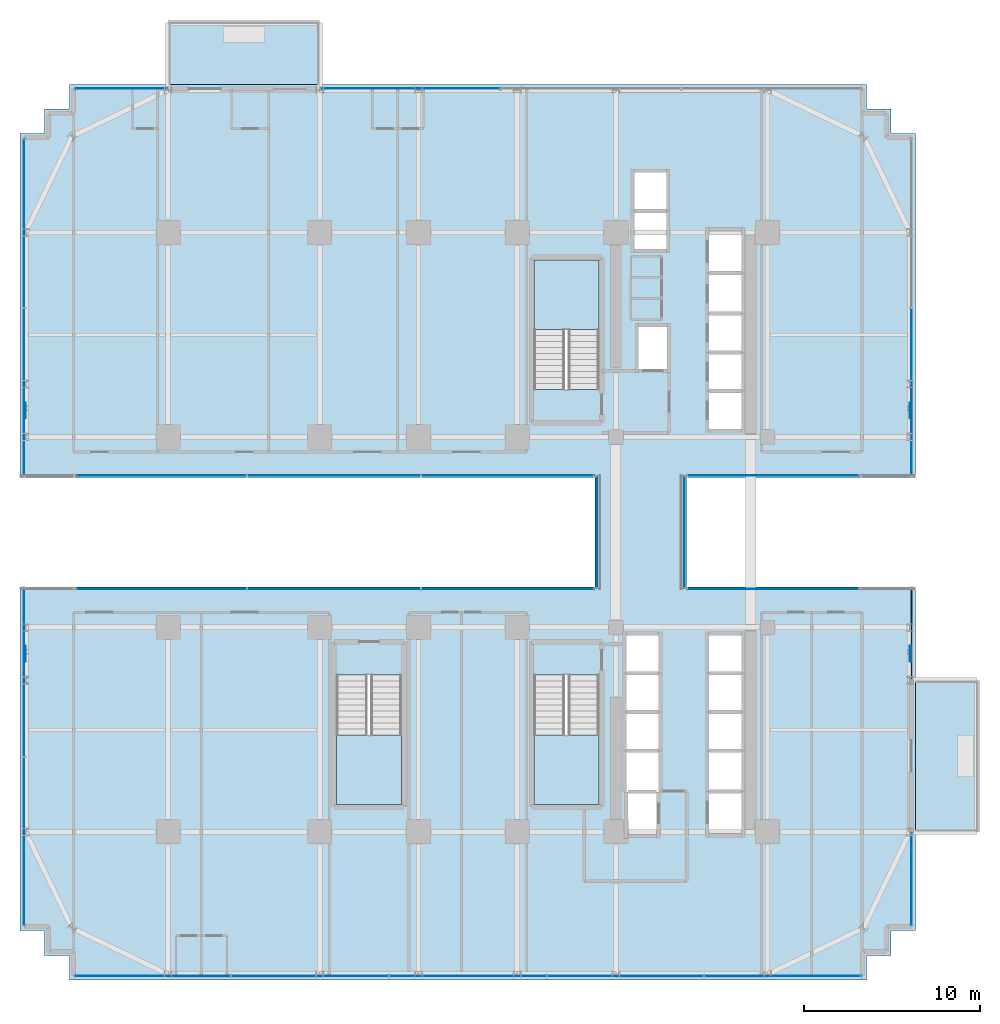
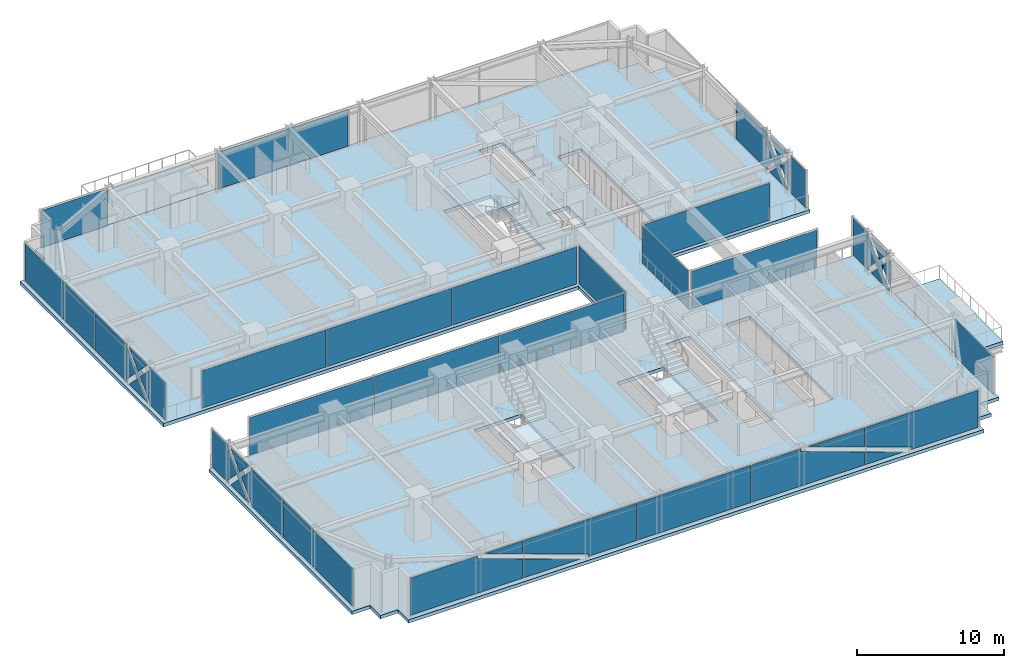
# One storey, part 33 of 41: 28 plates, 6 slabs, 17 elements without a shape of their own.
"""IFC4 building model written with IfcOpenShell, lengths in metres."""

from ifc_helpers import new_model, si_unit, direction, frame, origin, origin_2d, place, context, subcontext, project, spatial, polyline, rectangle, outline, extrude, source, transform, mapped, material, layer, layer_set, type_object, element, aggregate, save


model = new_model("IFC4")

# Units and contexts
model_context = context("Model", 3, precision=1e-05, world=origin(), true_north=direction((0.0, 1.0)))
body_context = subcontext(model_context, "Body", "Model", "MODEL_VIEW")
ifc_project = project(units=[si_unit("LENGTHUNIT", "METRE"), si_unit("AREAUNIT", "SQUARE_METRE"), si_unit("VOLUMEUNIT", "CUBIC_METRE"), si_unit("PLANEANGLEUNIT", "RADIAN"), si_unit("MASSUNIT", "GRAM", prefix="KILO")], contexts=[model_context])

# Site, building, storey
site_placement = place(None, origin())
site = spatial("IfcSite", under=ifc_project, at=site_placement, CompositionType="ELEMENT")
building_placement = place(site_placement, origin())
building = spatial("IfcBuilding", under=site, at=building_placement, Name="Nahalor Promenade Grand Hotel", CompositionType="ELEMENT")
storey_placement = place(building_placement, frame((0.0, 0.0, 54.300048828125)))
storey = spatial("IfcBuildingStorey", under=building, at=storey_placement, Name="L12", CompositionType="ELEMENT", Elevation=54.300048828125)

# Curtain wall, plates
ifc_material_1 = material(Name="Anodised Bronze Aluminium EN AW-6063 T6", Category="aluminium")
curtain_wall_type_1 = type_object("IfcCurtainWallType", Name="CW3 Elliptical-Void Collar Unitised Curtain Wall", PredefinedType="USERDEFINED", material=ifc_material_1)
curtain_wall_1_placement = place(storey_placement, origin())
curtain_wall_1 = element("IfcCurtainWall", 1, at=curtain_wall_1_placement, inside=storey, type_object=curtain_wall_type_1, Name="L12 Curtain Wall CW-L12-S-1", ObjectType="UNITISED_CURTAIN_WALL", PredefinedType="USERDEFINED")
ifc_material_2 = material(Name="Low-E Laminated Solar Glass", Category="glass")
ifc_layer_1 = layer(ifc_material_2, 0.030029296875)
ifc_layer_set_1 = layer_set([ifc_layer_1], Name="Low-E Laminated Solar Glass")
plate_type_1 = type_object("IfcPlateType", Name="CWP3 High-Wind Laminated Bronze IGU 30mm", PredefinedType="CURTAIN_PANEL", material=ifc_layer_set_1)
plate_1_placement = place(storey_placement, frame((-17.87060546875, -25.159912109375, 0.14013671875), z_axis=(0.0, 0.0, 1.0), x_axis=(1.0, 0.0, 0.0)))
plate_1 = element("IfcPlate", 2, at=plate_1_placement, type_object=plate_type_1, Name="CW-L12-S-1 Glazing Panel 0-0", PredefinedType="CURTAIN_PANEL", context=body_context, shape_type="SweptSolid", body=[
    extrude(outline(polyline([(-4.41943359375, 0.0), (4.41943359375, 0.0), (4.41943359375, 1.600830078125), (0.77978515625, 2.900146484375), (0.847412109375, 3.090087890625), (-4.41943359375, 3.090087890625), (-4.41943359375, 0.0)])), frame((0.0, 0.01513671875, 0.0), z_axis=(0.0, -1.0, 0.0), x_axis=(1.0, 0.0, 0.0)), (0.0, 0.0, 1.0), 0.030029296875),
    extrude(outline(polyline([(4.41943359375, 2.025390625), (4.41943359375, 3.090087890625), (1.437255859375, 3.090087890625), (4.41943359375, 2.025390625)])), frame((0.0, 0.01513671875, 0.0), z_axis=(0.0, -1.0, 0.0), x_axis=(1.0, 0.0, 0.0)), (0.0, 0.0, 1.0), 0.030029296875),
])
plate_2_placement = place(storey_placement, frame((-8.944091796875, -25.159912109375, 0.14013671875), z_axis=(0.0, 0.0, 1.0), x_axis=(1.0, 0.0, 0.0)))
plate_2 = element("IfcPlate", 3, at=plate_2_placement, type_object=plate_type_1, Name="CW-L12-S-1 Glazing Panel 1-0", PredefinedType="CURTAIN_PANEL", context=body_context, shape_type="SweptSolid", body=[
    extrude(outline(polyline([(4.43701171875, 3.090087890625), (-4.43701171875, 3.090087890625), (-4.43701171875, 2.00048828125), (0.634765625, 0.18994140625), (0.56689453125, 0.0), (4.43701171875, 0.0), (4.43701171875, 3.090087890625)])), frame((0.0, 0.01513671875, 0.0), z_axis=(0.0, -1.0, 0.0), x_axis=(1.0, 0.0, 0.0)), (0.0, 0.0, 1.0), 0.030029296875),
    extrude(outline(polyline([(-4.43701171875, 1.57568359375), (-4.43701171875, 0.0), (-0.02294921875, 0.0), (-4.43701171875, 1.57568359375)])), frame((0.0, 0.01513671875, 0.0), z_axis=(0.0, -1.0, 0.0), x_axis=(1.0, 0.0, 0.0)), (0.0, 0.0, 1.0), 0.030029296875),
])
plate_3_placement = place(storey_placement, frame((8.944091796875, -25.159912109375, 0.14013671875), z_axis=(0.0, 0.0, 1.0), x_axis=(1.0, 0.0, 0.0)))
plate_3 = element("IfcPlate", 4, at=plate_3_placement, type_object=plate_type_1, Name="CW-L12-S-1 Glazing Panel 3-0", PredefinedType="CURTAIN_PANEL", context=body_context, shape_type="SweptSolid", body=[
    extrude(outline(polyline([(-4.43701171875, 0.0), (4.43701171875, 0.0), (4.43701171875, 1.089599609375), (-0.634765625, 2.900146484375), (-0.56689453125, 3.090087890625), (-4.43701171875, 3.090087890625), (-4.43701171875, 0.0)])), frame((0.0, 0.01513671875, 0.0), z_axis=(0.0, -1.0, 0.0), x_axis=(1.0, 0.0, 0.0)), (0.0, 0.0, 1.0), 0.030029296875),
    extrude(outline(polyline([(4.43701171875, 1.51416015625), (4.43701171875, 3.090087890625), (0.02294921875, 3.090087890625), (4.43701171875, 1.51416015625)])), frame((0.0, 0.01513671875, 0.0), z_axis=(0.0, -1.0, 0.0), x_axis=(1.0, 0.0, 0.0)), (0.0, 0.0, 1.0), 0.030029296875),
])
plate_4_placement = place(storey_placement, frame((17.87060546875, -25.159912109375, 0.14013671875), z_axis=(0.0, 0.0, 1.0), x_axis=(1.0, 0.0, 0.0)))
plate_4 = element("IfcPlate", 5, at=plate_4_placement, type_object=plate_type_1, Name="CW-L12-S-1 Glazing Panel 4-0", PredefinedType="CURTAIN_PANEL", context=body_context, shape_type="SweptSolid", body=[
    extrude(outline(polyline([(4.41943359375, 3.090087890625), (-4.41943359375, 3.090087890625), (-4.41943359375, 1.4892578125), (-0.77978515625, 0.18994140625), (-0.847412109375, 0.0), (4.41943359375, 0.0), (4.41943359375, 3.090087890625)])), frame((0.0, 0.01513671875, 0.0), z_axis=(0.0, -1.0, 0.0), x_axis=(1.0, 0.0, 0.0)), (0.0, 0.0, 1.0), 0.030029296875),
    extrude(outline(polyline([(-4.41943359375, 1.064453125), (-4.41943359375, 0.0), (-1.437255859375, 0.0), (-4.41943359375, 1.064453125)])), frame((0.0, 0.01513671875, 0.0), z_axis=(0.0, -1.0, 0.0), x_axis=(1.0, 0.0, 0.0)), (0.0, 0.0, 1.0), 0.030029296875),
])

# Curtain wall, plate
curtain_wall_2_placement = place(storey_placement, origin())
curtain_wall_2 = element("IfcCurtainWall", 6, at=curtain_wall_2_placement, inside=storey, type_object=curtain_wall_type_1, Name="L12 Curtain Wall CW-L12-W-1", ObjectType="UNITISED_CURTAIN_WALL", PredefinedType="USERDEFINED")
plate_5_placement = place(storey_placement, frame((-25.159912109375, -7.9326171875, 0.14013671875), z_axis=(0.0, 0.0, 1.0), x_axis=(0.0, 1.0, 0.0)))
plate_5 = element("IfcPlate", 7, at=plate_5_placement, type_object=plate_type_1, Name="CW-L12-W-1 Glazing Panel 1-0", PredefinedType="CURTAIN_PANEL", context=body_context, shape_type="SweptSolid", body=[
    extrude(outline(polyline([(-4.762451171875, 3.090087890625), (-4.762451171875, 0.0), (-0.492919921875, 0.0), (-0.6279296875, 0.1318359375), (0.7529296875, 1.544921875), (-0.6279296875, 2.9580078125), (-0.492919921875, 3.090087890625), (-4.762451171875, 3.090087890625)])), frame((0.0, 0.01513671875, 0.0), z_axis=(0.0, -1.0, 0.0), x_axis=(1.0, 0.0, 0.0)), (0.0, 0.0, 1.0), 0.030029296875),
    extrude(outline(polyline([(1.032470703125, 1.2587890625), (-0.19775390625, 0.0), (2.2626953125, 0.0), (1.032470703125, 1.2587890625)])), frame((0.0, 0.01513671875, 0.0), z_axis=(0.0, -1.0, 0.0), x_axis=(1.0, 0.0, 0.0)), (0.0, 0.0, 1.0), 0.030029296875),
    extrude(outline(polyline([(1.032470703125, 1.831298828125), (2.2626953125, 3.090087890625), (-0.197509765625, 3.090087890625), (1.032470703125, 1.831298828125)])), frame((0.0, 0.01513671875, 0.0), z_axis=(0.0, -1.0, 0.0), x_axis=(1.0, 0.0, 0.0)), (0.0, 0.0, 1.0), 0.030029296875),
    extrude(outline(polyline([(4.762451171875, 0.0), (4.762451171875, 3.090087890625), (2.55810546875, 3.090087890625), (2.693115234375, 2.9580078125), (1.31201171875, 1.544921875), (2.693115234375, 0.1318359375), (2.55810546875, 0.0), (4.762451171875, 0.0)])), frame((0.0, 0.01513671875, 0.0), z_axis=(0.0, -1.0, 0.0), x_axis=(1.0, 0.0, 0.0)), (0.0, 0.0, 1.0), 0.030029296875),
])

curtain_wall_3_placement = place(storey_placement, origin())
curtain_wall_3 = element("IfcCurtainWall", 8, at=curtain_wall_3_placement, inside=storey, type_object=curtain_wall_type_1, Name="L12 Curtain Wall CW-L12-W-2", ObjectType="UNITISED_CURTAIN_WALL", PredefinedType="USERDEFINED")
plate_6_placement = place(storey_placement, frame((-25.159912109375, 7.9326171875, 0.14013671875), z_axis=(0.0, 0.0, 1.0), x_axis=(0.0, 1.0, 0.0)))
plate_6 = element("IfcPlate", 9, at=plate_6_placement, type_object=plate_type_1, Name="CW-L12-W-2 Glazing Panel 0-0", PredefinedType="CURTAIN_PANEL", context=body_context, shape_type="SweptSolid", body=[
    extrude(outline(polyline([(-4.762451171875, 3.090087890625), (-4.762451171875, 0.0), (-2.55810546875, 0.0), (-2.693115234375, 0.1318359375), (-1.31201171875, 1.544921875), (-2.693115234375, 2.9580078125), (-2.55810546875, 3.090087890625), (-4.762451171875, 3.090087890625)])), frame((0.0, 0.01513671875, 0.0), z_axis=(0.0, -1.0, 0.0), x_axis=(1.0, 0.0, 0.0)), (0.0, 0.0, 1.0), 0.030029296875),
    extrude(outline(polyline([(-1.032470703125, 1.2587890625), (-2.2626953125, 0.0), (0.197509765625, 0.0), (-1.032470703125, 1.2587890625)])), frame((0.0, 0.01513671875, 0.0), z_axis=(0.0, -1.0, 0.0), x_axis=(1.0, 0.0, 0.0)), (0.0, 0.0, 1.0), 0.030029296875),
    extrude(outline(polyline([(-1.032470703125, 1.831298828125), (0.19775390625, 3.090087890625), (-2.2626953125, 3.090087890625), (-1.032470703125, 1.831298828125)])), frame((0.0, 0.01513671875, 0.0), z_axis=(0.0, -1.0, 0.0), x_axis=(1.0, 0.0, 0.0)), (0.0, 0.0, 1.0), 0.030029296875),
    extrude(outline(polyline([(4.762451171875, 0.0), (4.762451171875, 3.090087890625), (0.492919921875, 3.090087890625), (0.6279296875, 2.9580078125), (-0.7529296875, 1.544921875), (0.6279296875, 0.1318359375), (0.492919921875, 0.0), (4.762451171875, 0.0)])), frame((0.0, 0.01513671875, 0.0), z_axis=(0.0, -1.0, 0.0), x_axis=(1.0, 0.0, 0.0)), (0.0, 0.0, 1.0), 0.030029296875),
])

curtain_wall_4_placement = place(storey_placement, origin())
curtain_wall_4 = element("IfcCurtainWall", 10, at=curtain_wall_4_placement, inside=storey, type_object=curtain_wall_type_1, Name="L12 Curtain Wall CW-L12-E-3", ObjectType="UNITISED_CURTAIN_WALL", PredefinedType="USERDEFINED")
plate_7_placement = place(storey_placement, frame((25.159912109375, -5.75, 0.14013671875), z_axis=(0.0, 0.0, 1.0), x_axis=(0.0, 1.0, 0.0)))
plate_7 = element("IfcPlate", 11, at=plate_7_placement, type_object=plate_type_1, Name="CW-L12-E-3 Glazing Panel 0-0", PredefinedType="CURTAIN_PANEL", context=body_context, shape_type="SweptSolid", body=[
    extrude(outline(polyline([(-1.4296875, 1.544921875), (-2.580078125, 2.72216796875), (-2.580078125, 0.36767578125), (-1.4296875, 1.544921875)])), frame((0.0, 0.01513671875, 0.0), z_axis=(0.0, -1.0, 0.0), x_axis=(1.0, 0.0, 0.0)), (0.0, 0.0, 1.0), 0.030029296875),
    extrude(outline(polyline([(-1.14990234375, 1.2587890625), (-2.380126953125, 0.0), (0.080078125, 0.0), (-1.14990234375, 1.2587890625)])), frame((0.0, 0.01513671875, 0.0), z_axis=(0.0, -1.0, 0.0), x_axis=(1.0, 0.0, 0.0)), (0.0, 0.0, 1.0), 0.030029296875),
    extrude(outline(polyline([(-1.14990234375, 1.831298828125), (0.080078125, 3.090087890625), (-2.380126953125, 3.090087890625), (-1.14990234375, 1.831298828125)])), frame((0.0, 0.01513671875, 0.0), z_axis=(0.0, -1.0, 0.0), x_axis=(1.0, 0.0, 0.0)), (0.0, 0.0, 1.0), 0.030029296875),
    extrude(outline(polyline([(2.580078125, 0.0), (2.580078125, 3.090087890625), (0.37548828125, 3.090087890625), (0.510498046875, 2.9580078125), (-0.870361328125, 1.544921875), (0.510498046875, 0.1318359375), (0.37548828125, 0.0), (2.580078125, 0.0)])), frame((0.0, 0.01513671875, 0.0), z_axis=(0.0, -1.0, 0.0), x_axis=(1.0, 0.0, 0.0)), (0.0, 0.0, 1.0), 0.030029296875),
])
aggregate(curtain_wall_4, [plate_7])

curtain_wall_5_placement = place(storey_placement, origin())
curtain_wall_5 = element("IfcCurtainWall", 12, at=curtain_wall_5_placement, inside=storey, type_object=curtain_wall_type_1, Name="L12 Curtain Wall CW-L12-E-4", ObjectType="UNITISED_CURTAIN_WALL", PredefinedType="USERDEFINED")
plate_8_placement = place(storey_placement, frame((25.159912109375, 7.9326171875, 0.14013671875), z_axis=(0.0, 0.0, 1.0), x_axis=(0.0, 1.0, 0.0)))
plate_8 = element("IfcPlate", 13, at=plate_8_placement, type_object=plate_type_1, Name="CW-L12-E-4 Glazing Panel 0-0", PredefinedType="CURTAIN_PANEL", context=body_context, shape_type="SweptSolid", body=[
    extrude(outline(polyline([(-4.762451171875, 3.090087890625), (-4.762451171875, 0.0), (-2.55810546875, 0.0), (-2.693115234375, 0.1318359375), (-1.31201171875, 1.544921875), (-2.693115234375, 2.9580078125), (-2.55810546875, 3.090087890625), (-4.762451171875, 3.090087890625)])), frame((0.0, 0.01513671875, 0.0), z_axis=(0.0, -1.0, 0.0), x_axis=(1.0, 0.0, 0.0)), (0.0, 0.0, 1.0), 0.030029296875),
    extrude(outline(polyline([(-1.032470703125, 1.2587890625), (-2.2626953125, 0.0), (0.197509765625, 0.0), (-1.032470703125, 1.2587890625)])), frame((0.0, 0.01513671875, 0.0), z_axis=(0.0, -1.0, 0.0), x_axis=(1.0, 0.0, 0.0)), (0.0, 0.0, 1.0), 0.030029296875),
    extrude(outline(polyline([(-1.032470703125, 1.831298828125), (0.19775390625, 3.090087890625), (-2.2626953125, 3.090087890625), (-1.032470703125, 1.831298828125)])), frame((0.0, 0.01513671875, 0.0), z_axis=(0.0, -1.0, 0.0), x_axis=(1.0, 0.0, 0.0)), (0.0, 0.0, 1.0), 0.030029296875),
    extrude(outline(polyline([(4.762451171875, 0.0), (4.762451171875, 3.090087890625), (0.492919921875, 3.090087890625), (0.6279296875, 2.9580078125), (-0.7529296875, 1.544921875), (0.6279296875, 0.1318359375), (0.492919921875, 0.0), (4.762451171875, 0.0)])), frame((0.0, 0.01513671875, 0.0), z_axis=(0.0, -1.0, 0.0), x_axis=(1.0, 0.0, 0.0)), (0.0, 0.0, 1.0), 0.030029296875),
])
aggregate(curtain_wall_5, [plate_8])

# Stair, slab
ifc_material_3 = material(Name="Concrete B-50 (C40/50)", Category="concrete")
stair_type_1 = type_object("IfcStairType", Name="Stair-ST1", PredefinedType="HALF_TURN_STAIR", material=ifc_material_3)
stair_1_placement = place(storey_placement, origin())
stair_1 = element("IfcStair", 14, at=stair_1_placement, inside=storey, type_object=stair_type_1, Name="L12 ST1", PredefinedType="HALF_TURN_STAIR")
ifc_layer_2 = layer(ifc_material_3, 0.199951171875)
ifc_layer_set_2 = layer_set([ifc_layer_2], Name="Concrete B-50 (C40/50)")
slab_type_1 = type_object("IfcSlabType", Name="Landing-ST1", PredefinedType="LANDING", material=ifc_layer_set_2)
slab_1_placement = place(storey_placement, frame((0.0, 0.0, 1.625)))
slab_1 = element("IfcSlab", 15, at=slab_1_placement, type_object=slab_type_1, Name="ST1 landing 1", PredefinedType="LANDING", context=body_context, shape_type="SweptSolid", body=[
    extrude(outline(polyline([(7.449951171875, 11.5), (7.449951171875, 15.449951171875), (3.75, 15.449951171875), (3.75, 11.5), (7.449951171875, 11.5)])), origin(), (0.0, 0.0, 1.0), 0.199951171875),
])
aggregate(stair_1, [slab_1])

stair_type_2 = type_object("IfcStairType", Name="Stair-ST2", PredefinedType="HALF_TURN_STAIR", material=ifc_material_3)
stair_2_placement = place(storey_placement, origin())
stair_2 = element("IfcStair", 16, at=stair_2_placement, inside=storey, type_object=stair_type_2, Name="L12 ST2", PredefinedType="HALF_TURN_STAIR")
ifc_layer_3 = layer(ifc_material_3, 0.2099609375)
ifc_layer_set_3 = layer_set([ifc_layer_3], Name="Concrete B-50 (C40/50)")
slab_type_2 = type_object("IfcSlabType", Name="Landing-ST2", PredefinedType="LANDING", material=ifc_layer_set_3)
slab_2_placement = place(storey_placement, frame((0.0, 0.0, 1.614990234375)))
slab_2 = element("IfcSlab", 17, at=slab_2_placement, type_object=slab_type_2, Name="ST2 landing 1", PredefinedType="LANDING", context=body_context, shape_type="SweptSolid", body=[
    extrude(outline(polyline([(3.75, -11.5), (3.75, -15.449951171875), (7.449951171875, -15.449951171875), (7.449951171875, -11.5), (3.75, -11.5)])), origin(), (0.0, 0.0, 1.0), 0.2099609375),
])
aggregate(stair_2, [slab_2])

stair_type_3 = type_object("IfcStairType", Name="Stair-ST3", PredefinedType="HALF_TURN_STAIR", material=ifc_material_3)
stair_3_placement = place(storey_placement, origin())
stair_3 = element("IfcStair", 18, at=stair_3_placement, inside=storey, type_object=stair_type_3, Name="L12 ST3", PredefinedType="HALF_TURN_STAIR")
ifc_layer_4 = layer(ifc_material_3, 0.219970703125)
ifc_layer_set_4 = layer_set([ifc_layer_4], Name="Concrete B-50 (C40/50)")
slab_type_3 = type_object("IfcSlabType", Name="Landing-ST3", PredefinedType="LANDING", material=ifc_layer_set_4)
slab_3_placement = place(storey_placement, frame((0.0, 0.0, 1.60498046875)))
slab_3 = element("IfcSlab", 19, at=slab_3_placement, type_object=slab_type_3, Name="ST3 landing 1", PredefinedType="LANDING", context=body_context, shape_type="SweptSolid", body=[
    extrude(outline(polyline([(-7.449951171875, -11.5), (-7.449951171875, -15.449951171875), (-3.75, -15.449951171875), (-3.75, -11.5), (-7.449951171875, -11.5)])), origin(), (0.0, 0.0, 1.0), 0.219970703125),
])
aggregate(stair_3, [slab_3])

# Slabs
ifc_layer_5 = layer(ifc_material_3, 0.280029296875)
ifc_layer_set_5 = layer_set([ifc_layer_5], Name="Concrete B-50 (C40/50)")
slab_type_4 = type_object("IfcSlabType", Name="Slab-Balcony-280", PredefinedType="FLOOR", material=ifc_layer_set_5)
slab_4_placement = place(storey_placement, frame((0.0, 0.0, -0.280029296875)))
element("IfcSlab", 20, at=slab_4_placement, inside=storey, type_object=slab_type_4, Name="L12 Cantilevered Planted Balcony 1", PredefinedType="FLOOR", context=body_context, shape_type="SweptSolid", body=[
    extrude(outline(polyline([(-17.0, 25.39990234375), (-8.39990234375, 25.39990234375), (-8.39990234375, 28.97998046875), (-17.0, 28.97998046875), (-17.0, 25.39990234375)])), origin(), (0.0, 0.0, 1.0), 0.280029296875),
])
slab_5_placement = place(storey_placement, frame((0.0, 0.0, -0.280029296875)))
element("IfcSlab", 21, at=slab_5_placement, inside=storey, type_object=slab_type_4, Name="L12 Cantilevered Planted Balcony 2", PredefinedType="FLOOR", context=body_context, shape_type="SweptSolid", body=[
    extrude(outline(polyline([(25.39990234375, -17.0), (28.969970703125, -17.0), (28.969970703125, -8.39990234375), (25.39990234375, -8.39990234375), (25.39990234375, -17.0)])), origin(), (0.0, 0.0, 1.0), 0.280029296875),
])
ifc_layer_6 = layer(ifc_material_3, 0.280029296875)
ifc_layer_set_6 = layer_set([ifc_layer_6], Name="Concrete B-50 (C40/50)")
slab_type_5 = type_object("IfcSlabType", Name="Slab-TowerZ1-280", PredefinedType="FLOOR", material=ifc_layer_set_6)
slab_6_placement = place(storey_placement, frame((0.0, 0.0, -0.280029296875)))
element("IfcSlab", 22, at=slab_6_placement, inside=storey, type_object=slab_type_5, Name="L12 Suspended Structural Floor Slab", PredefinedType="FLOOR", context=body_context, shape_type="SweptSolid", body=[
    extrude(outline(polyline([(-22.60009765625, -25.39990234375), (22.60009765625, -25.39990234375), (22.60009765625, -24.0), (24.0, -24.0), (24.0, -22.60009765625), (25.39990234375, -22.60009765625), (25.39990234375, -3.10009765625), (12.39990234375, -3.10009765625), (12.39990234375, 3.10009765625), (25.39990234375, 3.10009765625), (25.39990234375, 22.60009765625), (24.0, 22.60009765625), (24.0, 24.0), (22.60009765625, 24.0), (22.60009765625, 25.39990234375), (-22.60009765625, 25.39990234375), (-22.60009765625, 24.0), (-24.0, 24.0), (-24.0, 22.60009765625), (-25.39990234375, 22.60009765625), (-25.39990234375, 3.10009765625), (7.199951171875, 3.10009765625), (7.199951171875, -3.10009765625), (-25.39990234375, -3.10009765625), (-25.39990234375, -22.60009765625), (-24.0, -22.60009765625), (-24.0, -24.0), (-22.60009765625, -24.0), (-22.60009765625, -25.39990234375)]), holes=[polyline([(3.75, 8.10009765625), (7.449951171875, 8.10009765625), (7.449951171875, 15.449951171875), (3.75, 15.449951171875), (3.75, 8.10009765625)]), polyline([(3.75, -15.449951171875), (7.449951171875, -15.449951171875), (7.449951171875, -8.10009765625), (3.75, -8.10009765625), (3.75, -15.449951171875)]), polyline([(-7.449951171875, -15.449951171875), (-3.75, -15.449951171875), (-3.75, -8.10009765625), (-7.449951171875, -8.10009765625), (-7.449951171875, -15.449951171875)]), polyline([(13.659912109375, 5.81005859375), (15.5400390625, 5.81005859375), (15.5400390625, 17.139892578125), (13.659912109375, 17.139892578125), (13.659912109375, 5.81005859375)]), polyline([(13.659912109375, -17.139892578125), (15.5400390625, -17.139892578125), (15.5400390625, -5.81005859375), (13.659912109375, -5.81005859375), (13.659912109375, -17.139892578125)]), polyline([(8.9599609375, -17.18994140625), (10.840087890625, -17.18994140625), (10.840087890625, -5.81005859375), (8.9599609375, -5.81005859375), (8.9599609375, -17.18994140625)]), polyline([(9.409912109375, 16.010009765625), (11.2900390625, 16.010009765625), (11.2900390625, 20.43994140625), (9.409912109375, 20.43994140625), (9.409912109375, 16.010009765625)]), polyline([(9.659912109375, 9.2099609375), (11.340087890625, 9.2099609375), (11.340087890625, 11.68994140625), (9.659912109375, 11.68994140625), (9.659912109375, 9.2099609375)])]), origin(), (0.0, 0.0, 1.0), 0.280029296875),
])

# Plates
ifc_material_4 = material(Name="Steel S355J2", Category="steel")
ifc_layer_7 = layer(ifc_material_4, 0.035888671875)
ifc_layer_set_7 = layer_set([ifc_layer_7], Name="Steel S355J2")
plate_type_2 = type_object("IfcPlateType", Name="Plate-CrossGusset-36", PredefinedType="USERDEFINED", material=ifc_layer_set_7)
shared_shape_1 = source(origin(), body_context, "Body", "SweptSolid", [
    extrude(rectangle(XDim=0.89990234375, YDim=0.035888671875, at=origin_2d()), origin(), (0.0, 0.0, 1.0), 0.89990234375),
])
for number, where, z_axis, x_axis, name in (
    (23, (-25.080078125, -6.89990234375, 1.235107421875), (0.0, 0.0, 1.0), (0.0, 1.0, 0.0), "PL-L12-VXX-W0"),
    (24, (-25.080078125, 6.89990234375, 1.235107421875), (0.0, 0.0, 1.0), (0.0, 1.0, 0.0), "PL-L12-VXX-W1"),
    (25, (25.080078125, -6.89990234375, 1.235107421875), (0.0, 0.0, 1.0), (0.0, 1.0, 0.0), "PL-L12-VXX-E0"),
    (26, (25.080078125, 6.89990234375, 1.235107421875), (0.0, 0.0, 1.0), (0.0, 1.0, 0.0), "PL-L12-VXX-E1"),
):
    element("IfcPlate", number, at=place(storey_placement, frame(where, z_axis=z_axis, x_axis=x_axis)), inside=storey, type_object=plate_type_2, Name=name, ObjectType="GUSSET_PLATE", PredefinedType="USERDEFINED", context=body_context, shape_type="MappedRepresentation", body=[
        mapped(shared_shape_1, transform((0.0, 0.0, 0.0), scale=1.0)),
    ])

# Curtain wall, plate
curtain_wall_6_placement = place(storey_placement, origin())
curtain_wall_6 = element("IfcCurtainWall", 27, at=curtain_wall_6_placement, inside=storey, type_object=curtain_wall_type_1, Name="L12 Curtain Wall CW-L12-N-1", ObjectType="UNITISED_CURTAIN_WALL", PredefinedType="USERDEFINED")
shared_shape_2 = source(origin(), body_context, "Body", "SweptSolid", [
    extrude(rectangle(XDim=5.219970703125, YDim=0.030029296875, at=origin_2d()), origin(), (0.0, 0.0, 1.0), 3.090087890625),
])
plate_9_placement = place(storey_placement, frame((-19.679931640625, 25.159912109375, 0.14013671875), z_axis=(0.0, 0.0, 1.0), x_axis=(1.0, 0.0, 0.0)))
plate_9 = element("IfcPlate", 28, at=plate_9_placement, type_object=plate_type_1, Name="CW-L12-N-1 Glazing Panel 0-0", PredefinedType="CURTAIN_PANEL", context=body_context, shape_type="MappedRepresentation", body=[
    mapped(shared_shape_2, transform((0.0, 0.0, 0.0), scale=1.0)),
])
aggregate(curtain_wall_6, [plate_9])

curtain_wall_7_placement = place(storey_placement, origin())
curtain_wall_7 = element("IfcCurtainWall", 29, at=curtain_wall_7_placement, inside=storey, type_object=curtain_wall_type_1, Name="L12 Curtain Wall CW-L12-E-1", ObjectType="UNITISED_CURTAIN_WALL", PredefinedType="USERDEFINED")
plate_10_placement = place(storey_placement, frame((25.159912109375, -19.679931640625, 0.14013671875), z_axis=(0.0, 0.0, 1.0), x_axis=(0.0, 1.0, 0.0)))
plate_10 = element("IfcPlate", 30, at=plate_10_placement, type_object=plate_type_1, Name="CW-L12-E-1 Glazing Panel 0-0", PredefinedType="CURTAIN_PANEL", context=body_context, shape_type="MappedRepresentation", body=[
    mapped(shared_shape_2, transform((0.0, 0.0, 0.0), scale=1.0)),
])
aggregate(curtain_wall_7, [plate_10])

curtain_wall_8_placement = place(storey_placement, origin())
curtain_wall_8 = element("IfcCurtainWall", 31, at=curtain_wall_8_placement, inside=storey, type_object=curtain_wall_type_1, Name="L12 Curtain Wall CW-L12-N-3", ObjectType="UNITISED_CURTAIN_WALL", PredefinedType="USERDEFINED")
shared_shape_3 = source(origin(), body_context, "Body", "SweptSolid", [
    extrude(rectangle(XDim=10.1484375, YDim=0.030029296875, at=origin_2d()), origin(), (0.0, 0.0, 1.0), 3.090087890625),
])
plate_11_placement = place(storey_placement, frame((-3.255859375, 25.159912109375, 0.14013671875), z_axis=(0.0, 0.0, 1.0), x_axis=(1.0, 0.0, 0.0)))
plate_11 = element("IfcPlate", 32, at=plate_11_placement, type_object=plate_type_1, Name="CW-L12-N-3 Glazing Panel 0-0", PredefinedType="CURTAIN_PANEL", context=body_context, shape_type="MappedRepresentation", body=[
    mapped(shared_shape_3, transform((0.0, 0.0, 0.0), scale=1.0)),
])
aggregate(curtain_wall_8, [plate_11])

# Plate
shared_shape_4 = source(origin(), body_context, "Body", "SweptSolid", [
    extrude(rectangle(XDim=8.8740234375, YDim=0.030029296875, at=origin_2d()), origin(), (0.0, 0.0, 1.0), 3.090087890625),
])
plate_12_placement = place(storey_placement, frame((0.0, -25.159912109375, 0.14013671875), z_axis=(0.0, 0.0, 1.0), x_axis=(1.0, 0.0, 0.0)))
plate_12 = element("IfcPlate", 33, at=plate_12_placement, type_object=plate_type_1, Name="CW-L12-S-1 Glazing Panel 2-0", PredefinedType="CURTAIN_PANEL", context=body_context, shape_type="MappedRepresentation", body=[
    mapped(shared_shape_4, transform((0.0, 0.0, 0.0), scale=1.0)),
])

aggregate(curtain_wall_1, [plate_1, plate_2, plate_12, plate_3, plate_4])

# Curtain wall, plates
curtain_wall_9_placement = place(storey_placement, origin())
curtain_wall_9 = element("IfcCurtainWall", 34, at=curtain_wall_9_placement, inside=storey, type_object=curtain_wall_type_1, Name="L12 Curtain Wall CW-L12-VOID-WS1", ObjectType="UNITISED_CURTAIN_WALL", PredefinedType="USERDEFINED")
shared_shape_5 = source(origin(), body_context, "Body", "SweptSolid", [
    extrude(rectangle(XDim=9.748291015625, YDim=0.030029296875, at=origin_2d()), origin(), (0.0, 0.0, 1.0), 3.090087890625),
])
plate_13_placement = place(storey_placement, frame((-17.415771484375, -3.219970703125, 0.14013671875), z_axis=(0.0, 0.0, 1.0), x_axis=(1.0, 0.0, 0.0)))
plate_13 = element("IfcPlate", 35, at=plate_13_placement, type_object=plate_type_1, Name="CW-L12-VOID-WS1 Glazing Panel 0-0", PredefinedType="CURTAIN_PANEL", context=body_context, shape_type="MappedRepresentation", body=[
    mapped(shared_shape_5, transform((0.0, 0.0, 0.0), scale=1.0)),
])
plate_14_placement = place(storey_placement, frame((2.255859375, -3.219970703125, 0.14013671875), z_axis=(0.0, 0.0, 1.0), x_axis=(1.0, 0.0, 0.0)))
plate_14 = element("IfcPlate", 36, at=plate_14_placement, type_object=plate_type_1, Name="CW-L12-VOID-WS1 Glazing Panel 2-0", PredefinedType="CURTAIN_PANEL", context=body_context, shape_type="MappedRepresentation", body=[
    mapped(shared_shape_5, transform((0.0, 0.0, 0.0), scale=1.0)),
])

curtain_wall_10_placement = place(storey_placement, origin())
curtain_wall_10 = element("IfcCurtainWall", 37, at=curtain_wall_10_placement, inside=storey, type_object=curtain_wall_type_1, Name="L12 Curtain Wall CW-L12-VOID-WN1", ObjectType="UNITISED_CURTAIN_WALL", PredefinedType="USERDEFINED")
plate_15_placement = place(storey_placement, frame((-17.415771484375, 3.219970703125, 0.14013671875), z_axis=(0.0, 0.0, 1.0), x_axis=(1.0, 0.0, 0.0)))
plate_15 = element("IfcPlate", 38, at=plate_15_placement, type_object=plate_type_1, Name="CW-L12-VOID-WN1 Glazing Panel 0-0", PredefinedType="CURTAIN_PANEL", context=body_context, shape_type="MappedRepresentation", body=[
    mapped(shared_shape_5, transform((0.0, 0.0, 0.0), scale=1.0)),
])
plate_16_placement = place(storey_placement, frame((2.255859375, 3.219970703125, 0.14013671875), z_axis=(0.0, 0.0, 1.0), x_axis=(1.0, 0.0, 0.0)))
plate_16 = element("IfcPlate", 39, at=plate_16_placement, type_object=plate_type_1, Name="CW-L12-VOID-WN1 Glazing Panel 2-0", PredefinedType="CURTAIN_PANEL", context=body_context, shape_type="MappedRepresentation", body=[
    mapped(shared_shape_5, transform((0.0, 0.0, 0.0), scale=1.0)),
])

# Plate
shared_shape_6 = source(origin(), body_context, "Body", "SweptSolid", [
    extrude(rectangle(XDim=9.783447265625, YDim=0.030029296875, at=origin_2d()), origin(), (0.0, 0.0, 1.0), 3.090087890625),
])
plate_17_placement = place(storey_placement, frame((-7.580078125, -3.219970703125, 0.14013671875), z_axis=(0.0, 0.0, 1.0), x_axis=(1.0, 0.0, 0.0)))
plate_17 = element("IfcPlate", 40, at=plate_17_placement, type_object=plate_type_1, Name="CW-L12-VOID-WS1 Glazing Panel 1-0", PredefinedType="CURTAIN_PANEL", context=body_context, shape_type="MappedRepresentation", body=[
    mapped(shared_shape_6, transform((0.0, 0.0, 0.0), scale=1.0)),
])

aggregate(curtain_wall_9, [plate_13, plate_17, plate_14])

plate_18_placement = place(storey_placement, frame((-7.580078125, 3.219970703125, 0.14013671875), z_axis=(0.0, 0.0, 1.0), x_axis=(1.0, 0.0, 0.0)))
plate_18 = element("IfcPlate", 41, at=plate_18_placement, type_object=plate_type_1, Name="CW-L12-VOID-WN1 Glazing Panel 1-0", PredefinedType="CURTAIN_PANEL", context=body_context, shape_type="MappedRepresentation", body=[
    mapped(shared_shape_6, transform((0.0, 0.0, 0.0), scale=1.0)),
])

aggregate(curtain_wall_10, [plate_15, plate_18, plate_16])

# Curtain wall, plate
curtain_wall_11_placement = place(storey_placement, origin())
curtain_wall_11 = element("IfcCurtainWall", 42, at=curtain_wall_11_placement, inside=storey, type_object=curtain_wall_type_1, Name="L12 Curtain Wall CW-L12-VOID-ES1", ObjectType="UNITISED_CURTAIN_WALL", PredefinedType="USERDEFINED")
shared_shape_7 = source(origin(), body_context, "Body", "SweptSolid", [
    extrude(rectangle(XDim=9.820068359375, YDim=0.030029296875, at=origin_2d()), origin(), (0.0, 0.0, 1.0), 3.090087890625),
])
plate_19_placement = place(storey_placement, frame((17.3798828125, -3.219970703125, 0.14013671875), z_axis=(0.0, 0.0, 1.0), x_axis=(1.0, 0.0, 0.0)))
plate_19 = element("IfcPlate", 43, at=plate_19_placement, type_object=plate_type_1, Name="CW-L12-VOID-ES1 Glazing Panel 0-0", PredefinedType="CURTAIN_PANEL", context=body_context, shape_type="MappedRepresentation", body=[
    mapped(shared_shape_7, transform((0.0, 0.0, 0.0), scale=1.0)),
])
aggregate(curtain_wall_11, [plate_19])

curtain_wall_12_placement = place(storey_placement, origin())
curtain_wall_12 = element("IfcCurtainWall", 44, at=curtain_wall_12_placement, inside=storey, type_object=curtain_wall_type_1, Name="L12 Curtain Wall CW-L12-VOID-EN1", ObjectType="UNITISED_CURTAIN_WALL", PredefinedType="USERDEFINED")
plate_20_placement = place(storey_placement, frame((17.3798828125, 3.219970703125, 0.14013671875), z_axis=(0.0, 0.0, 1.0), x_axis=(1.0, 0.0, 0.0)))
plate_20 = element("IfcPlate", 45, at=plate_20_placement, type_object=plate_type_1, Name="CW-L12-VOID-EN1 Glazing Panel 0-0", PredefinedType="CURTAIN_PANEL", context=body_context, shape_type="MappedRepresentation", body=[
    mapped(shared_shape_7, transform((0.0, 0.0, 0.0), scale=1.0)),
])
aggregate(curtain_wall_12, [plate_20])

# Plate
shared_shape_8 = source(origin(), body_context, "Body", "SweptSolid", [
    extrude(rectangle(XDim=9.52490234375, YDim=0.030029296875, at=origin_2d()), origin(), (0.0, 0.0, 1.0), 3.090087890625),
])
plate_21_placement = place(storey_placement, frame((-25.159912109375, -17.527587890625, 0.14013671875), z_axis=(0.0, 0.0, 1.0), x_axis=(0.0, 1.0, 0.0)))
plate_21 = element("IfcPlate", 46, at=plate_21_placement, type_object=plate_type_1, Name="CW-L12-W-1 Glazing Panel 0-0", PredefinedType="CURTAIN_PANEL", context=body_context, shape_type="MappedRepresentation", body=[
    mapped(shared_shape_8, transform((0.0, 0.0, 0.0), scale=1.0)),
])

aggregate(curtain_wall_2, [plate_21, plate_5])

plate_22_placement = place(storey_placement, frame((-25.159912109375, 17.527587890625, 0.14013671875), z_axis=(0.0, 0.0, 1.0), x_axis=(0.0, 1.0, 0.0)))
plate_22 = element("IfcPlate", 47, at=plate_22_placement, type_object=plate_type_1, Name="CW-L12-W-2 Glazing Panel 1-0", PredefinedType="CURTAIN_PANEL", context=body_context, shape_type="MappedRepresentation", body=[
    mapped(shared_shape_8, transform((0.0, 0.0, 0.0), scale=1.0)),
])

aggregate(curtain_wall_3, [plate_6, plate_22])

# Curtain wall, plate
curtain_wall_type_2 = type_object("IfcCurtainWallType", Name="CW4 Low-Iron Sky-Gallery Bridge Curtain Wall", PredefinedType="USERDEFINED", material=ifc_material_1)
curtain_wall_13_placement = place(storey_placement, origin())
curtain_wall_13 = element("IfcCurtainWall", 48, at=curtain_wall_13_placement, inside=storey, type_object=curtain_wall_type_2, Name="L12 Curtain Wall CW-L12-BRG-W", ObjectType="UNITISED_CURTAIN_WALL", PredefinedType="USERDEFINED")
ifc_layer_8 = layer(ifc_material_2, 0.02587890625)
ifc_layer_set_8 = layer_set([ifc_layer_8], Name="Low-E Laminated Solar Glass")
plate_type_3 = type_object("IfcPlateType", Name="CWP4 Ultra-Clear Low-Iron Bridge IGU 26mm", PredefinedType="CURTAIN_PANEL", material=ifc_layer_set_8)
shared_shape_9 = source(origin(), body_context, "Body", "SweptSolid", [
    extrude(rectangle(XDim=6.320068359375, YDim=0.02587890625, at=origin_2d()), origin(), (0.0, 0.0, 1.0), 3.1298828125),
])
plate_23_placement = place(storey_placement, frame((7.320068359375, 0.0, 0.1201171875), z_axis=(0.0, 0.0, 1.0), x_axis=(0.0, 1.0, 0.0)))
plate_23 = element("IfcPlate", 49, at=plate_23_placement, type_object=plate_type_3, Name="CW-L12-BRG-W Glazing Panel 0-0", PredefinedType="CURTAIN_PANEL", context=body_context, shape_type="MappedRepresentation", body=[
    mapped(shared_shape_9, transform((0.0, 0.0, 0.0), scale=1.0)),
])
aggregate(curtain_wall_13, [plate_23])

curtain_wall_14_placement = place(storey_placement, origin())
curtain_wall_14 = element("IfcCurtainWall", 50, at=curtain_wall_14_placement, inside=storey, type_object=curtain_wall_type_2, Name="L12 Curtain Wall CW-L12-BRG-E", ObjectType="UNITISED_CURTAIN_WALL", PredefinedType="USERDEFINED")
plate_24_placement = place(storey_placement, frame((12.280029296875, 0.0, 0.1201171875), z_axis=(0.0, 0.0, 1.0), x_axis=(0.0, 1.0, 0.0)))
plate_24 = element("IfcPlate", 51, at=plate_24_placement, type_object=plate_type_3, Name="CW-L12-BRG-E Glazing Panel 0-0", PredefinedType="CURTAIN_PANEL", context=body_context, shape_type="MappedRepresentation", body=[
    mapped(shared_shape_9, transform((0.0, 0.0, 0.0), scale=1.0)),
])
aggregate(curtain_wall_14, [plate_24])

save(model, "model.ifc")
